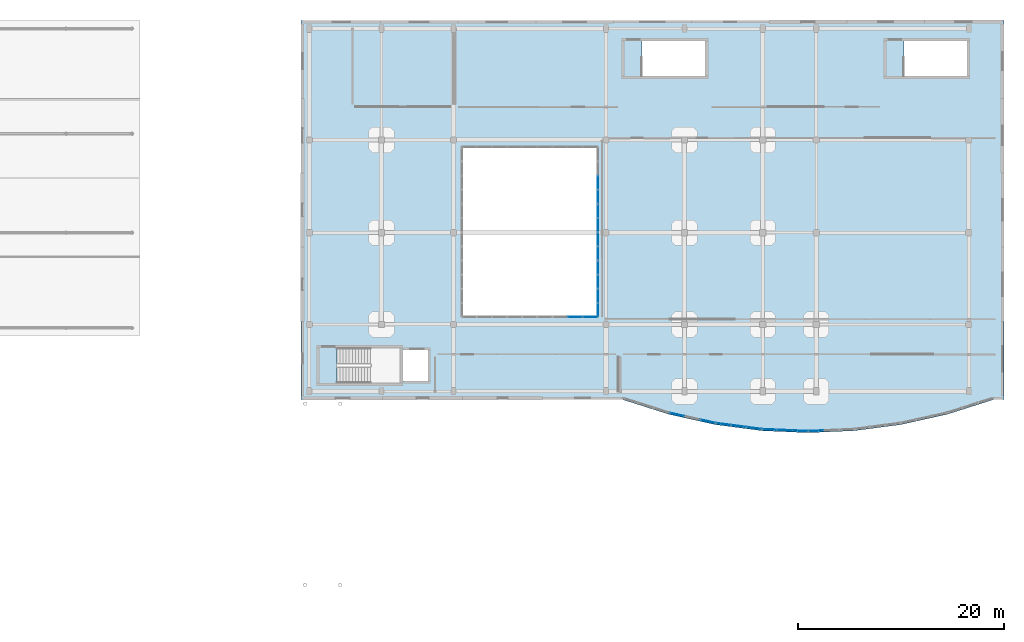
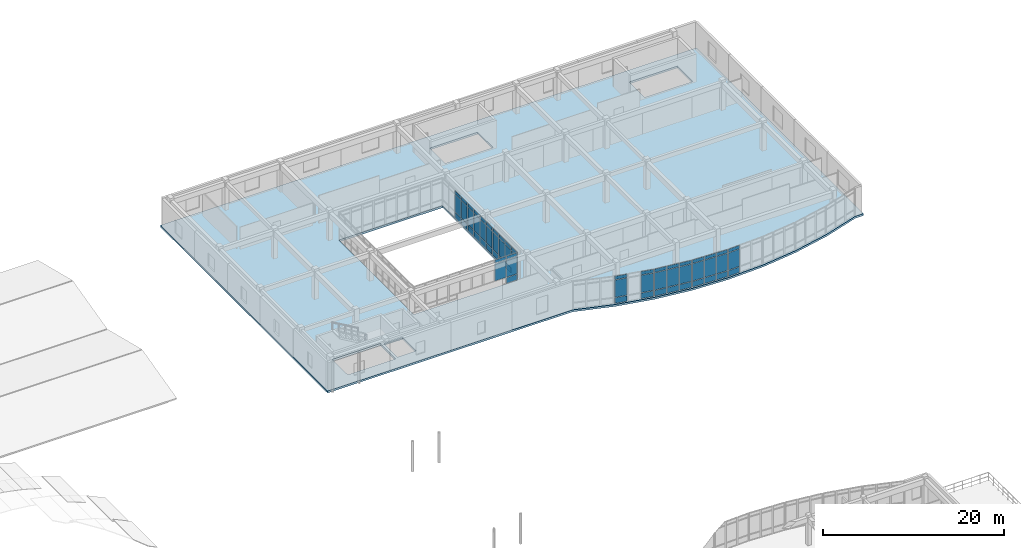
# One storey, part 67 of 91: 62 plates, 1 slab, 8 elements without a shape of their own.
"""IFC4 building model written with IfcOpenShell, lengths in metres."""

from ifc_helpers import new_model, si_unit, direction, frame, origin, origin_2d, place, context, subcontext, project, spatial, polyline, rectangle, outline, extrude, material, layer, layer_set, type_object, element, aggregate, save


model = new_model("IFC4")

# Units and contexts
model_context = context("Model", 3, precision=1e-05, world=origin(), true_north=direction((0.0, 1.0)))
body_context = subcontext(model_context, "Body", "Model", "MODEL_VIEW")
ifc_project = project(units=[si_unit("LENGTHUNIT", "METRE"), si_unit("AREAUNIT", "SQUARE_METRE"), si_unit("VOLUMEUNIT", "CUBIC_METRE"), si_unit("PLANEANGLEUNIT", "RADIAN"), si_unit("MASSUNIT", "GRAM", prefix="KILO")], contexts=[model_context])

# Site, building, storey
site_placement = place(None, origin())
site = spatial("IfcSite", under=ifc_project, at=site_placement, CompositionType="ELEMENT")
building_placement = place(site_placement, origin())
building = spatial("IfcBuilding", under=site, at=building_placement, Name="Valcora Specialist Clinic", CompositionType="ELEMENT")
storey_placement = place(building_placement, frame((0.0, 0.0, 13.60009765625)))
storey = spatial("IfcBuildingStorey", under=building, at=storey_placement, Name="L03", CompositionType="ELEMENT", Elevation=13.60009765625)

# Curtain wall, plates
ifc_material_1 = material(Name="Anodized Bronze Aluminium 6063-T6", Category="aluminium")
ifc_layer_1 = layer(ifc_material_1, 0.175048828125)
ifc_layer_set_1 = layer_set([ifc_layer_1], Name="Anodized Bronze Aluminium 6063-T6")
curtain_wall_type_1 = type_object("IfcCurtainWallType", Name="TY-CW-ARC40", PredefinedType="NOTDEFINED", material=ifc_layer_set_1)
curtain_wall_1_placement = place(storey_placement, origin())
curtain_wall_1 = element("IfcCurtainWall", 1, at=curtain_wall_1_placement, inside=storey, type_object=curtain_wall_type_1, Name="Curtain wall CW-L03-120", PredefinedType="NOTDEFINED")
ifc_material_2 = material(Name="Low-E Laminated Insulating Glass", Category="glass")
ifc_layer_2 = layer(ifc_material_2, 0.028076171875)
ifc_layer_set_2 = layer_set([ifc_layer_2], Name="Low-E Laminated Insulating Glass")
plate_type_1 = type_object("IfcPlateType", Name="TY-CWP-GLZ28", PredefinedType="CURTAIN_PANEL", material=ifc_layer_set_2)
plate_1_placement = place(storey_placement, frame((111.1640625, 70.96826171875, 0.88232421875), z_axis=(0.0, 0.0, 1.0), x_axis=(-0.999061821291, -0.043306780525, 0.0)))
plate_1 = element("IfcPlate", 2, at=plate_1_placement, type_object=plate_type_1, Name="CW-ARC-40 panel 3.2", PredefinedType="CURTAIN_PANEL", context=body_context, shape_type="SweptSolid", body=[
    extrude(rectangle(XDim=1.399658203125, YDim=0.028076171875, at=origin_2d()), origin(), (0.0, 0.0, 1.0), 2.31005859375),
])
plate_2_placement = place(storey_placement, frame((111.1640625, 70.96826171875, 3.25732421875), z_axis=(0.0, 0.0, 1.0), x_axis=(-0.999061821291, -0.043306780525, 0.0)))
plate_2 = element("IfcPlate", 3, at=plate_2_placement, type_object=plate_type_1, Name="CW-ARC-40 panel 3.3", PredefinedType="CURTAIN_PANEL", context=body_context, shape_type="SweptSolid", body=[
    extrude(rectangle(XDim=1.399658203125, YDim=0.028076171875, at=origin_2d()), origin(), (0.0, 0.0, 1.0), 0.452392578125),
])

curtain_wall_2_placement = place(storey_placement, origin())
curtain_wall_2 = element("IfcCurtainWall", 4, at=curtain_wall_2_placement, inside=storey, type_object=curtain_wall_type_1, Name="Curtain wall CW-L03-122", PredefinedType="NOTDEFINED")
plate_3_placement = place(storey_placement, frame((105.149169921875, 71.229736328125, 0.88232421875), z_axis=(0.0, 0.0, 1.0), x_axis=(-0.991514060421, 0.129999492259, 0.0)))
plate_3 = element("IfcPlate", 5, at=plate_3_placement, type_object=plate_type_1, Name="CW-ARC-40 panel 1.2", PredefinedType="CURTAIN_PANEL", context=body_context, shape_type="SweptSolid", body=[
    extrude(rectangle(XDim=1.410888671875, YDim=0.028076171875, at=origin_2d()), origin(), (0.0, 0.0, 1.0), 2.31005859375),
])
plate_4_placement = place(storey_placement, frame((105.149169921875, 71.229736328125, 3.25732421875), z_axis=(0.0, 0.0, 1.0), x_axis=(-0.991514060421, 0.129999492259, 0.0)))
plate_4 = element("IfcPlate", 6, at=plate_4_placement, type_object=plate_type_1, Name="CW-ARC-40 panel 1.3", PredefinedType="CURTAIN_PANEL", context=body_context, shape_type="SweptSolid", body=[
    extrude(rectangle(XDim=1.410888671875, YDim=0.028076171875, at=origin_2d()), origin(), (0.0, 0.0, 1.0), 0.452392578125),
])
plate_5_placement = place(storey_placement, frame((103.66943359375, 71.423828125, 0.88232421875), z_axis=(0.0, 0.0, 1.0), x_axis=(-0.991514060421, 0.129999492259, 0.0)))
plate_5 = element("IfcPlate", 7, at=plate_5_placement, type_object=plate_type_1, Name="CW-ARC-40 panel 2.2", PredefinedType="CURTAIN_PANEL", context=body_context, shape_type="SweptSolid", body=[
    extrude(rectangle(XDim=1.443359375, YDim=0.028076171875, at=origin_2d()), origin(), (0.0, 0.0, 1.0), 2.31005859375),
])
plate_6_placement = place(storey_placement, frame((103.66943359375, 71.423828125, 3.25732421875), z_axis=(0.0, 0.0, 1.0), x_axis=(-0.991514060421, 0.129999492259, 0.0)))
plate_6 = element("IfcPlate", 8, at=plate_6_placement, type_object=plate_type_1, Name="CW-ARC-40 panel 2.3", PredefinedType="CURTAIN_PANEL", context=body_context, shape_type="SweptSolid", body=[
    extrude(rectangle(XDim=1.443359375, YDim=0.028076171875, at=origin_2d()), origin(), (0.0, 0.0, 1.0), 0.452392578125),
])
plate_7_placement = place(storey_placement, frame((102.18994140625, 71.61767578125, 0.88232421875), z_axis=(0.0, 0.0, 1.0), x_axis=(-0.991514060421, 0.129999492259, 0.0)))
plate_7 = element("IfcPlate", 9, at=plate_7_placement, type_object=plate_type_1, Name="CW-ARC-40 panel 3.2", PredefinedType="CURTAIN_PANEL", context=body_context, shape_type="SweptSolid", body=[
    extrude(rectangle(XDim=1.410888671875, YDim=0.028076171875, at=origin_2d()), origin(), (0.0, 0.0, 1.0), 2.31005859375),
])
plate_8_placement = place(storey_placement, frame((102.18994140625, 71.61767578125, 3.25732421875), z_axis=(0.0, 0.0, 1.0), x_axis=(-0.991514060421, 0.129999492259, 0.0)))
plate_8 = element("IfcPlate", 10, at=plate_8_placement, type_object=plate_type_1, Name="CW-ARC-40 panel 3.3", PredefinedType="CURTAIN_PANEL", context=body_context, shape_type="SweptSolid", body=[
    extrude(rectangle(XDim=1.410888671875, YDim=0.028076171875, at=origin_2d()), origin(), (0.0, 0.0, 1.0), 0.452392578125),
])

ifc_layer_3 = layer(ifc_material_1, 0.175048828125)
ifc_layer_set_3 = layer_set([ifc_layer_3], Name="Anodized Bronze Aluminium 6063-T6")
curtain_wall_type_2 = type_object("IfcCurtainWallType", Name="TY-CW-CRT15", PredefinedType="NOTDEFINED", material=ifc_layer_set_3)
curtain_wall_3_placement = place(storey_placement, origin())
curtain_wall_3 = element("IfcCurtainWall", 11, at=curtain_wall_3_placement, inside=storey, type_object=curtain_wall_type_2, Name="Curtain wall CW-L03-128", PredefinedType="NOTDEFINED")
plate_9_placement = place(storey_placement, frame((90.0, 82.703857421875, 0.88232421875), z_axis=(0.0, 0.0, 1.0), x_axis=(0.0, 1.0, 0.0)))
plate_9 = element("IfcPlate", 12, at=plate_9_placement, type_object=plate_type_1, Name="CW-CRT-15 panel 1.2", PredefinedType="CURTAIN_PANEL", context=body_context, shape_type="SweptSolid", body=[
    extrude(rectangle(XDim=1.277587890625, YDim=0.028076171875, at=origin_2d()), origin(), (0.0, 0.0, 1.0), 2.31005859375),
])
plate_10_placement = place(storey_placement, frame((90.0, 82.703857421875, 3.25732421875), z_axis=(0.0, 0.0, 1.0), x_axis=(0.0, 1.0, 0.0)))
plate_10 = element("IfcPlate", 13, at=plate_10_placement, type_object=plate_type_1, Name="CW-CRT-15 panel 1.3", PredefinedType="CURTAIN_PANEL", context=body_context, shape_type="SweptSolid", body=[
    extrude(rectangle(XDim=1.277587890625, YDim=0.028076171875, at=origin_2d()), origin(), (0.0, 0.0, 1.0), 0.452392578125),
])
plate_11_placement = place(storey_placement, frame((90.0, 84.0625, 0.88232421875), z_axis=(0.0, 0.0, 1.0), x_axis=(0.0, 1.0, 0.0)))
plate_11 = element("IfcPlate", 14, at=plate_11_placement, type_object=plate_type_1, Name="CW-CRT-15 panel 2.2", PredefinedType="CURTAIN_PANEL", context=body_context, shape_type="SweptSolid", body=[
    extrude(rectangle(XDim=1.31005859375, YDim=0.028076171875, at=origin_2d()), origin(), (0.0, 0.0, 1.0), 2.31005859375),
])
plate_12_placement = place(storey_placement, frame((90.0, 84.0625, 3.25732421875), z_axis=(0.0, 0.0, 1.0), x_axis=(0.0, 1.0, 0.0)))
plate_12 = element("IfcPlate", 15, at=plate_12_placement, type_object=plate_type_1, Name="CW-CRT-15 panel 2.3", PredefinedType="CURTAIN_PANEL", context=body_context, shape_type="SweptSolid", body=[
    extrude(rectangle(XDim=1.31005859375, YDim=0.028076171875, at=origin_2d()), origin(), (0.0, 0.0, 1.0), 0.452392578125),
])
plate_13_placement = place(storey_placement, frame((90.0, 85.4375, 0.88232421875), z_axis=(0.0, 0.0, 1.0), x_axis=(0.0, 1.0, 0.0)))
plate_13 = element("IfcPlate", 16, at=plate_13_placement, type_object=plate_type_1, Name="CW-CRT-15 panel 3.2", PredefinedType="CURTAIN_PANEL", context=body_context, shape_type="SweptSolid", body=[
    extrude(rectangle(XDim=1.31005859375, YDim=0.028076171875, at=origin_2d()), origin(), (0.0, 0.0, 1.0), 2.31005859375),
])
plate_14_placement = place(storey_placement, frame((90.0, 85.4375, 3.25732421875), z_axis=(0.0, 0.0, 1.0), x_axis=(0.0, 1.0, 0.0)))
plate_14 = element("IfcPlate", 17, at=plate_14_placement, type_object=plate_type_1, Name="CW-CRT-15 panel 3.3", PredefinedType="CURTAIN_PANEL", context=body_context, shape_type="SweptSolid", body=[
    extrude(rectangle(XDim=1.31005859375, YDim=0.028076171875, at=origin_2d()), origin(), (0.0, 0.0, 1.0), 0.452392578125),
])
plate_15_placement = place(storey_placement, frame((90.0, 86.796142578125, 0.88232421875), z_axis=(0.0, 0.0, 1.0), x_axis=(0.0, 1.0, 0.0)))
plate_15 = element("IfcPlate", 18, at=plate_15_placement, type_object=plate_type_1, Name="CW-CRT-15 panel 4.2", PredefinedType="CURTAIN_PANEL", context=body_context, shape_type="SweptSolid", body=[
    extrude(rectangle(XDim=1.277587890625, YDim=0.028076171875, at=origin_2d()), origin(), (0.0, 0.0, 1.0), 2.31005859375),
])
plate_16_placement = place(storey_placement, frame((90.0, 86.796142578125, 3.25732421875), z_axis=(0.0, 0.0, 1.0), x_axis=(0.0, 1.0, 0.0)))
plate_16 = element("IfcPlate", 19, at=plate_16_placement, type_object=plate_type_1, Name="CW-CRT-15 panel 4.3", PredefinedType="CURTAIN_PANEL", context=body_context, shape_type="SweptSolid", body=[
    extrude(rectangle(XDim=1.277587890625, YDim=0.028076171875, at=origin_2d()), origin(), (0.0, 0.0, 1.0), 0.452392578125),
])

curtain_wall_4_placement = place(storey_placement, origin())
curtain_wall_4 = element("IfcCurtainWall", 20, at=curtain_wall_4_placement, inside=storey, type_object=curtain_wall_type_2, Name="Curtain wall CW-L03-130", PredefinedType="NOTDEFINED")
plate_17_placement = place(storey_placement, frame((90.0, 93.703857421875, 0.88232421875), z_axis=(0.0, 0.0, 1.0), x_axis=(0.0, 1.0, 0.0)))
plate_17 = element("IfcPlate", 21, at=plate_17_placement, type_object=plate_type_1, Name="CW-CRT-15 panel 1.2", PredefinedType="CURTAIN_PANEL", context=body_context, shape_type="SweptSolid", body=[
    extrude(rectangle(XDim=1.277587890625, YDim=0.028076171875, at=origin_2d()), origin(), (0.0, 0.0, 1.0), 2.31005859375),
])
plate_18_placement = place(storey_placement, frame((90.0, 93.703857421875, 3.25732421875), z_axis=(0.0, 0.0, 1.0), x_axis=(0.0, 1.0, 0.0)))
plate_18 = element("IfcPlate", 22, at=plate_18_placement, type_object=plate_type_1, Name="CW-CRT-15 panel 1.3", PredefinedType="CURTAIN_PANEL", context=body_context, shape_type="SweptSolid", body=[
    extrude(rectangle(XDim=1.277587890625, YDim=0.028076171875, at=origin_2d()), origin(), (0.0, 0.0, 1.0), 0.452392578125),
])
plate_19_placement = place(storey_placement, frame((90.0, 95.0625, 0.88232421875), z_axis=(0.0, 0.0, 1.0), x_axis=(0.0, 1.0, 0.0)))
plate_19 = element("IfcPlate", 23, at=plate_19_placement, type_object=plate_type_1, Name="CW-CRT-15 panel 2.2", PredefinedType="CURTAIN_PANEL", context=body_context, shape_type="SweptSolid", body=[
    extrude(rectangle(XDim=1.31005859375, YDim=0.028076171875, at=origin_2d()), origin(), (0.0, 0.0, 1.0), 2.31005859375),
])
plate_20_placement = place(storey_placement, frame((90.0, 95.0625, 3.25732421875), z_axis=(0.0, 0.0, 1.0), x_axis=(0.0, 1.0, 0.0)))
plate_20 = element("IfcPlate", 24, at=plate_20_placement, type_object=plate_type_1, Name="CW-CRT-15 panel 2.3", PredefinedType="CURTAIN_PANEL", context=body_context, shape_type="SweptSolid", body=[
    extrude(rectangle(XDim=1.31005859375, YDim=0.028076171875, at=origin_2d()), origin(), (0.0, 0.0, 1.0), 0.452392578125),
])

curtain_wall_5_placement = place(storey_placement, origin())
curtain_wall_5 = element("IfcCurtainWall", 25, at=curtain_wall_5_placement, inside=storey, type_object=curtain_wall_type_1, Name="Curtain wall CW-L03-121", PredefinedType="NOTDEFINED")
ifc_layer_4 = layer(ifc_material_2, 0.033935546875)
ifc_layer_set_4 = layer_set([ifc_layer_4], Name="Low-E Laminated Insulating Glass")
plate_type_2 = type_object("IfcPlateType", Name="TY-CWP-GLZ34", PredefinedType="CURTAIN_PANEL", material=ifc_layer_set_4)
plate_21_placement = place(storey_placement, frame((109.635986328125, 70.96826171875, 0.88232421875), z_axis=(0.0, 0.0, 1.0), x_axis=(-0.999061821291, 0.043306780525, 0.0)))
plate_21 = element("IfcPlate", 26, at=plate_21_placement, type_object=plate_type_2, Name="CW-ARC-40 panel 1.2", PredefinedType="CURTAIN_PANEL", context=body_context, shape_type="SweptSolid", body=[
    extrude(rectangle(XDim=1.399658203125, YDim=0.033935546875, at=origin_2d()), origin(), (0.0, 0.0, 1.0), 2.31005859375),
])
plate_22_placement = place(storey_placement, frame((109.635986328125, 70.96826171875, 3.25732421875), z_axis=(0.0, 0.0, 1.0), x_axis=(-0.999061821291, 0.043306780525, 0.0)))
plate_22 = element("IfcPlate", 27, at=plate_22_placement, type_object=plate_type_2, Name="CW-ARC-40 panel 1.3", PredefinedType="CURTAIN_PANEL", context=body_context, shape_type="SweptSolid", body=[
    extrude(rectangle(XDim=1.399658203125, YDim=0.033935546875, at=origin_2d()), origin(), (0.0, 0.0, 1.0), 0.452392578125),
])
plate_23_placement = place(storey_placement, frame((108.156494140625, 71.032470703125, 0.88232421875), z_axis=(0.0, 0.0, 1.0), x_axis=(-0.999061821291, 0.043306780525, 0.0)))
plate_23 = element("IfcPlate", 28, at=plate_23_placement, type_object=plate_type_2, Name="CW-ARC-40 panel 2.2", PredefinedType="CURTAIN_PANEL", context=body_context, shape_type="SweptSolid", body=[
    extrude(rectangle(XDim=1.43212890625, YDim=0.033935546875, at=origin_2d()), origin(), (0.0, 0.0, 1.0), 2.31005859375),
])
plate_24_placement = place(storey_placement, frame((108.156494140625, 71.032470703125, 3.25732421875), z_axis=(0.0, 0.0, 1.0), x_axis=(-0.999061821291, 0.043306780525, 0.0)))
plate_24 = element("IfcPlate", 29, at=plate_24_placement, type_object=plate_type_2, Name="CW-ARC-40 panel 2.3", PredefinedType="CURTAIN_PANEL", context=body_context, shape_type="SweptSolid", body=[
    extrude(rectangle(XDim=1.43212890625, YDim=0.033935546875, at=origin_2d()), origin(), (0.0, 0.0, 1.0), 0.452392578125),
])
plate_25_placement = place(storey_placement, frame((106.677001953125, 71.096435546875, 0.88232421875), z_axis=(0.0, 0.0, 1.0), x_axis=(-0.999061821291, 0.043306780525, 0.0)))
plate_25 = element("IfcPlate", 30, at=plate_25_placement, type_object=plate_type_2, Name="CW-ARC-40 panel 3.2", PredefinedType="CURTAIN_PANEL", context=body_context, shape_type="SweptSolid", body=[
    extrude(rectangle(XDim=1.399658203125, YDim=0.033935546875, at=origin_2d()), origin(), (0.0, 0.0, 1.0), 2.31005859375),
])
plate_26_placement = place(storey_placement, frame((106.677001953125, 71.096435546875, 3.25732421875), z_axis=(0.0, 0.0, 1.0), x_axis=(-0.999061821291, 0.043306780525, 0.0)))
plate_26 = element("IfcPlate", 31, at=plate_26_placement, type_object=plate_type_2, Name="CW-ARC-40 panel 3.3", PredefinedType="CURTAIN_PANEL", context=body_context, shape_type="SweptSolid", body=[
    extrude(rectangle(XDim=1.399658203125, YDim=0.033935546875, at=origin_2d()), origin(), (0.0, 0.0, 1.0), 0.452392578125),
])

curtain_wall_6_placement = place(storey_placement, origin())
curtain_wall_6 = element("IfcCurtainWall", 32, at=curtain_wall_6_placement, inside=storey, type_object=curtain_wall_type_1, Name="Curtain wall CW-L03-123", PredefinedType="NOTDEFINED")
plate_27_placement = place(storey_placement, frame((100.662353515625, 71.88720703125, 0.88232421875), z_axis=(0.0, 0.0, 1.0), x_axis=(-0.976278614432, 0.216518052372, 0.0)))
plate_27 = element("IfcPlate", 33, at=plate_27_placement, type_object=plate_type_2, Name="CW-ARC-40 panel 1.2", PredefinedType="CURTAIN_PANEL", context=body_context, shape_type="SweptSolid", body=[
    extrude(rectangle(XDim=1.4345703125, YDim=0.033935546875, at=origin_2d()), origin(), (0.0, 0.0, 1.0), 2.31005859375),
])
plate_28_placement = place(storey_placement, frame((100.662353515625, 71.88720703125, 3.25732421875), z_axis=(0.0, 0.0, 1.0), x_axis=(-0.976278614432, 0.216518052372, 0.0)))
plate_28 = element("IfcPlate", 34, at=plate_28_placement, type_object=plate_type_2, Name="CW-ARC-40 panel 1.3", PredefinedType="CURTAIN_PANEL", context=body_context, shape_type="SweptSolid", body=[
    extrude(rectangle(XDim=1.4345703125, YDim=0.033935546875, at=origin_2d()), origin(), (0.0, 0.0, 1.0), 0.452392578125),
])
plate_29_placement = place(storey_placement, frame((97.702880859375, 72.543701171875, 0.88232421875), z_axis=(0.0, 0.0, 1.0), x_axis=(-0.976278614432, 0.216518052372, 0.0)))
plate_29 = element("IfcPlate", 35, at=plate_29_placement, type_object=plate_type_2, Name="CW-ARC-40 panel 3.2", PredefinedType="CURTAIN_PANEL", context=body_context, shape_type="SweptSolid", body=[
    extrude(rectangle(XDim=1.4345703125, YDim=0.033935546875, at=origin_2d()), origin(), (0.0, 0.0, 1.0), 2.31005859375),
])
plate_30_placement = place(storey_placement, frame((97.702880859375, 72.543701171875, 3.25732421875), z_axis=(0.0, 0.0, 1.0), x_axis=(-0.976278614432, 0.216518052372, 0.0)))
plate_30 = element("IfcPlate", 36, at=plate_30_placement, type_object=plate_type_2, Name="CW-ARC-40 panel 3.3", PredefinedType="CURTAIN_PANEL", context=body_context, shape_type="SweptSolid", body=[
    extrude(rectangle(XDim=1.4345703125, YDim=0.033935546875, at=origin_2d()), origin(), (0.0, 0.0, 1.0), 0.452392578125),
])

curtain_wall_7_placement = place(storey_placement, origin())
curtain_wall_7 = element("IfcCurtainWall", 37, at=curtain_wall_7_placement, inside=storey, type_object=curtain_wall_type_2, Name="Curtain wall CW-L03-127", PredefinedType="NOTDEFINED")
plate_31_placement = place(storey_placement, frame((87.800048828125, 82.0, 0.88232421875), z_axis=(0.0, 0.0, 1.0), x_axis=(1.0, 0.0, 0.0)))
plate_31 = element("IfcPlate", 38, at=plate_31_placement, type_object=plate_type_2, Name="CW-CRT-15 panel 2.2", PredefinedType="CURTAIN_PANEL", context=body_context, shape_type="SweptSolid", body=[
    extrude(rectangle(XDim=1.401611328125, YDim=0.033935546875, at=origin_2d()), origin(), (0.0, 0.0, 1.0), 2.31005859375),
])
plate_32_placement = place(storey_placement, frame((87.800048828125, 82.0, 3.25732421875), z_axis=(0.0, 0.0, 1.0), x_axis=(1.0, 0.0, 0.0)))
plate_32 = element("IfcPlate", 39, at=plate_32_placement, type_object=plate_type_2, Name="CW-CRT-15 panel 2.3", PredefinedType="CURTAIN_PANEL", context=body_context, shape_type="SweptSolid", body=[
    extrude(rectangle(XDim=1.401611328125, YDim=0.033935546875, at=origin_2d()), origin(), (0.0, 0.0, 1.0), 0.452392578125),
])
plate_33_placement = place(storey_placement, frame((89.25048828125, 82.0, 0.88232421875), z_axis=(0.0, 0.0, 1.0), x_axis=(1.0, 0.0, 0.0)))
plate_33 = element("IfcPlate", 40, at=plate_33_placement, type_object=plate_type_2, Name="CW-CRT-15 panel 3.2", PredefinedType="CURTAIN_PANEL", context=body_context, shape_type="SweptSolid", body=[
    extrude(rectangle(XDim=1.369140625, YDim=0.033935546875, at=origin_2d()), origin(), (0.0, 0.0, 1.0), 2.31005859375),
])
plate_34_placement = place(storey_placement, frame((89.25048828125, 82.0, 3.25732421875), z_axis=(0.0, 0.0, 1.0), x_axis=(1.0, 0.0, 0.0)))
plate_34 = element("IfcPlate", 41, at=plate_34_placement, type_object=plate_type_2, Name="CW-CRT-15 panel 3.3", PredefinedType="CURTAIN_PANEL", context=body_context, shape_type="SweptSolid", body=[
    extrude(rectangle(XDim=1.369140625, YDim=0.033935546875, at=origin_2d()), origin(), (0.0, 0.0, 1.0), 0.452392578125),
])

curtain_wall_8_placement = place(storey_placement, origin())
curtain_wall_8 = element("IfcCurtainWall", 42, at=curtain_wall_8_placement, inside=storey, type_object=curtain_wall_type_2, Name="Curtain wall CW-L03-129", PredefinedType="NOTDEFINED")
plate_35_placement = place(storey_placement, frame((90.0, 88.203857421875, 0.88232421875), z_axis=(0.0, 0.0, 1.0), x_axis=(0.0, 1.0, 0.0)))
plate_35 = element("IfcPlate", 43, at=plate_35_placement, type_object=plate_type_2, Name="CW-CRT-15 panel 1.2", PredefinedType="CURTAIN_PANEL", context=body_context, shape_type="SweptSolid", body=[
    extrude(rectangle(XDim=1.277587890625, YDim=0.033935546875, at=origin_2d()), origin(), (0.0, 0.0, 1.0), 2.31005859375),
])
plate_36_placement = place(storey_placement, frame((90.0, 88.203857421875, 3.25732421875), z_axis=(0.0, 0.0, 1.0), x_axis=(0.0, 1.0, 0.0)))
plate_36 = element("IfcPlate", 44, at=plate_36_placement, type_object=plate_type_2, Name="CW-CRT-15 panel 1.3", PredefinedType="CURTAIN_PANEL", context=body_context, shape_type="SweptSolid", body=[
    extrude(rectangle(XDim=1.277587890625, YDim=0.033935546875, at=origin_2d()), origin(), (0.0, 0.0, 1.0), 0.452392578125),
])
plate_37_placement = place(storey_placement, frame((90.0, 89.5625, 0.88232421875), z_axis=(0.0, 0.0, 1.0), x_axis=(0.0, 1.0, 0.0)))
plate_37 = element("IfcPlate", 45, at=plate_37_placement, type_object=plate_type_2, Name="CW-CRT-15 panel 2.2", PredefinedType="CURTAIN_PANEL", context=body_context, shape_type="SweptSolid", body=[
    extrude(rectangle(XDim=1.31005859375, YDim=0.033935546875, at=origin_2d()), origin(), (0.0, 0.0, 1.0), 2.31005859375),
])
plate_38_placement = place(storey_placement, frame((90.0, 89.5625, 3.25732421875), z_axis=(0.0, 0.0, 1.0), x_axis=(0.0, 1.0, 0.0)))
plate_38 = element("IfcPlate", 46, at=plate_38_placement, type_object=plate_type_2, Name="CW-CRT-15 panel 2.3", PredefinedType="CURTAIN_PANEL", context=body_context, shape_type="SweptSolid", body=[
    extrude(rectangle(XDim=1.31005859375, YDim=0.033935546875, at=origin_2d()), origin(), (0.0, 0.0, 1.0), 0.452392578125),
])
plate_39_placement = place(storey_placement, frame((90.0, 90.9375, 0.88232421875), z_axis=(0.0, 0.0, 1.0), x_axis=(0.0, 1.0, 0.0)))
plate_39 = element("IfcPlate", 47, at=plate_39_placement, type_object=plate_type_2, Name="CW-CRT-15 panel 3.2", PredefinedType="CURTAIN_PANEL", context=body_context, shape_type="SweptSolid", body=[
    extrude(rectangle(XDim=1.31005859375, YDim=0.033935546875, at=origin_2d()), origin(), (0.0, 0.0, 1.0), 2.31005859375),
])
plate_40_placement = place(storey_placement, frame((90.0, 90.9375, 3.25732421875), z_axis=(0.0, 0.0, 1.0), x_axis=(0.0, 1.0, 0.0)))
plate_40 = element("IfcPlate", 48, at=plate_40_placement, type_object=plate_type_2, Name="CW-CRT-15 panel 3.3", PredefinedType="CURTAIN_PANEL", context=body_context, shape_type="SweptSolid", body=[
    extrude(rectangle(XDim=1.31005859375, YDim=0.033935546875, at=origin_2d()), origin(), (0.0, 0.0, 1.0), 0.452392578125),
])
plate_41_placement = place(storey_placement, frame((90.0, 92.296142578125, 0.88232421875), z_axis=(0.0, 0.0, 1.0), x_axis=(0.0, 1.0, 0.0)))
plate_41 = element("IfcPlate", 49, at=plate_41_placement, type_object=plate_type_2, Name="CW-CRT-15 panel 4.2", PredefinedType="CURTAIN_PANEL", context=body_context, shape_type="SweptSolid", body=[
    extrude(rectangle(XDim=1.277587890625, YDim=0.033935546875, at=origin_2d()), origin(), (0.0, 0.0, 1.0), 2.31005859375),
])
plate_42_placement = place(storey_placement, frame((90.0, 92.296142578125, 3.25732421875), z_axis=(0.0, 0.0, 1.0), x_axis=(0.0, 1.0, 0.0)))
plate_42 = element("IfcPlate", 50, at=plate_42_placement, type_object=plate_type_2, Name="CW-CRT-15 panel 4.3", PredefinedType="CURTAIN_PANEL", context=body_context, shape_type="SweptSolid", body=[
    extrude(rectangle(XDim=1.277587890625, YDim=0.033935546875, at=origin_2d()), origin(), (0.0, 0.0, 1.0), 0.452392578125),
])

# Plate
ifc_material_3 = material(Name="Insulated Spandrel Panel")
ifc_layer_5 = layer(ifc_material_3, 0.044921875)
ifc_layer_set_5 = layer_set([ifc_layer_5], Name="Insulated Spandrel Panel")
plate_type_3 = type_object("IfcPlateType", Name="TY-CWP-SPN45", PredefinedType="SHEET", material=ifc_layer_set_5)
plate_43_placement = place(storey_placement, frame((111.1640625, 70.96826171875, 0.06494140625), z_axis=(0.0, 0.0, 1.0), x_axis=(-0.999061821291, -0.043306780525, 0.0)))
plate_43 = element("IfcPlate", 51, at=plate_43_placement, type_object=plate_type_3, Name="CW-ARC-40 panel 3.1", PredefinedType="SHEET", context=body_context, shape_type="SweptSolid", body=[
    extrude(rectangle(XDim=1.399658203125, YDim=0.044921875, at=origin_2d()), origin(), (0.0, 0.0, 1.0), 0.75244140625),
])

aggregate(curtain_wall_1, [plate_43, plate_1, plate_2])

plate_44_placement = place(storey_placement, frame((109.635986328125, 70.96826171875, 0.06494140625), z_axis=(0.0, 0.0, 1.0), x_axis=(-0.999061821291, 0.043306780525, 0.0)))
plate_44 = element("IfcPlate", 52, at=plate_44_placement, type_object=plate_type_3, Name="CW-ARC-40 panel 1.1", PredefinedType="SHEET", context=body_context, shape_type="SweptSolid", body=[
    extrude(rectangle(XDim=1.399658203125, YDim=0.044921875, at=origin_2d()), origin(), (0.0, 0.0, 1.0), 0.75244140625),
])

plate_45_placement = place(storey_placement, frame((108.156494140625, 71.032470703125, 0.06494140625), z_axis=(0.0, 0.0, 1.0), x_axis=(-0.999061821291, 0.043306780525, 0.0)))
plate_45 = element("IfcPlate", 53, at=plate_45_placement, type_object=plate_type_3, Name="CW-ARC-40 panel 2.1", PredefinedType="SHEET", context=body_context, shape_type="SweptSolid", body=[
    extrude(rectangle(XDim=1.43212890625, YDim=0.044921875, at=origin_2d()), origin(), (0.0, 0.0, 1.0), 0.75244140625),
])

plate_46_placement = place(storey_placement, frame((106.677001953125, 71.096435546875, 0.06494140625), z_axis=(0.0, 0.0, 1.0), x_axis=(-0.999061821291, 0.043306780525, 0.0)))
plate_46 = element("IfcPlate", 54, at=plate_46_placement, type_object=plate_type_3, Name="CW-ARC-40 panel 3.1", PredefinedType="SHEET", context=body_context, shape_type="SweptSolid", body=[
    extrude(rectangle(XDim=1.399658203125, YDim=0.044921875, at=origin_2d()), origin(), (0.0, 0.0, 1.0), 0.75244140625),
])

aggregate(curtain_wall_5, [plate_44, plate_21, plate_22, plate_45, plate_23, plate_24, plate_46, plate_25, plate_26])

plate_47_placement = place(storey_placement, frame((105.149169921875, 71.229736328125, 0.06494140625), z_axis=(0.0, 0.0, 1.0), x_axis=(-0.991514060421, 0.129999492259, 0.0)))
plate_47 = element("IfcPlate", 55, at=plate_47_placement, type_object=plate_type_3, Name="CW-ARC-40 panel 1.1", PredefinedType="SHEET", context=body_context, shape_type="SweptSolid", body=[
    extrude(rectangle(XDim=1.410888671875, YDim=0.044921875, at=origin_2d()), origin(), (0.0, 0.0, 1.0), 0.75244140625),
])

plate_48_placement = place(storey_placement, frame((103.66943359375, 71.423828125, 0.06494140625), z_axis=(0.0, 0.0, 1.0), x_axis=(-0.991514060421, 0.129999492259, 0.0)))
plate_48 = element("IfcPlate", 56, at=plate_48_placement, type_object=plate_type_3, Name="CW-ARC-40 panel 2.1", PredefinedType="SHEET", context=body_context, shape_type="SweptSolid", body=[
    extrude(rectangle(XDim=1.443359375, YDim=0.044921875, at=origin_2d()), origin(), (0.0, 0.0, 1.0), 0.75244140625),
])

plate_49_placement = place(storey_placement, frame((102.18994140625, 71.61767578125, 0.06494140625), z_axis=(0.0, 0.0, 1.0), x_axis=(-0.991514060421, 0.129999492259, 0.0)))
plate_49 = element("IfcPlate", 57, at=plate_49_placement, type_object=plate_type_3, Name="CW-ARC-40 panel 3.1", PredefinedType="SHEET", context=body_context, shape_type="SweptSolid", body=[
    extrude(rectangle(XDim=1.410888671875, YDim=0.044921875, at=origin_2d()), origin(), (0.0, 0.0, 1.0), 0.75244140625),
])

aggregate(curtain_wall_2, [plate_47, plate_3, plate_4, plate_48, plate_5, plate_6, plate_49, plate_7, plate_8])

plate_50_placement = place(storey_placement, frame((100.662353515625, 71.88720703125, 0.06494140625), z_axis=(0.0, 0.0, 1.0), x_axis=(-0.976278614432, 0.216518052372, 0.0)))
plate_50 = element("IfcPlate", 58, at=plate_50_placement, type_object=plate_type_3, Name="CW-ARC-40 panel 1.1", PredefinedType="SHEET", context=body_context, shape_type="SweptSolid", body=[
    extrude(rectangle(XDim=1.4345703125, YDim=0.044921875, at=origin_2d()), origin(), (0.0, 0.0, 1.0), 0.75244140625),
])

plate_51_placement = place(storey_placement, frame((97.702880859375, 72.543701171875, 0.06494140625), z_axis=(0.0, 0.0, 1.0), x_axis=(-0.976278614432, 0.216518052372, 0.0)))
plate_51 = element("IfcPlate", 59, at=plate_51_placement, type_object=plate_type_3, Name="CW-ARC-40 panel 3.1", PredefinedType="SHEET", context=body_context, shape_type="SweptSolid", body=[
    extrude(rectangle(XDim=1.4345703125, YDim=0.044921875, at=origin_2d()), origin(), (0.0, 0.0, 1.0), 0.75244140625),
])

aggregate(curtain_wall_6, [plate_50, plate_27, plate_28, plate_51, plate_29, plate_30])

plate_52_placement = place(storey_placement, frame((89.25048828125, 82.0, 0.06494140625), z_axis=(0.0, 0.0, 1.0), x_axis=(1.0, 0.0, 0.0)))
plate_52 = element("IfcPlate", 60, at=plate_52_placement, type_object=plate_type_3, Name="CW-CRT-15 panel 3.1", PredefinedType="SHEET", context=body_context, shape_type="SweptSolid", body=[
    extrude(rectangle(XDim=1.369140625, YDim=0.044921875, at=origin_2d()), origin(), (0.0, 0.0, 1.0), 0.75244140625),
])

aggregate(curtain_wall_7, [plate_31, plate_32, plate_52, plate_33, plate_34])

plate_53_placement = place(storey_placement, frame((90.0, 82.703857421875, 0.06494140625), z_axis=(0.0, 0.0, 1.0), x_axis=(0.0, 1.0, 0.0)))
plate_53 = element("IfcPlate", 61, at=plate_53_placement, type_object=plate_type_3, Name="CW-CRT-15 panel 1.1", PredefinedType="SHEET", context=body_context, shape_type="SweptSolid", body=[
    extrude(rectangle(XDim=1.277587890625, YDim=0.044921875, at=origin_2d()), origin(), (0.0, 0.0, 1.0), 0.75244140625),
])

plate_54_placement = place(storey_placement, frame((90.0, 84.0625, 0.06494140625), z_axis=(0.0, 0.0, 1.0), x_axis=(0.0, 1.0, 0.0)))
plate_54 = element("IfcPlate", 62, at=plate_54_placement, type_object=plate_type_3, Name="CW-CRT-15 panel 2.1", PredefinedType="SHEET", context=body_context, shape_type="SweptSolid", body=[
    extrude(rectangle(XDim=1.31005859375, YDim=0.044921875, at=origin_2d()), origin(), (0.0, 0.0, 1.0), 0.75244140625),
])

plate_55_placement = place(storey_placement, frame((90.0, 85.4375, 0.06494140625), z_axis=(0.0, 0.0, 1.0), x_axis=(0.0, 1.0, 0.0)))
plate_55 = element("IfcPlate", 63, at=plate_55_placement, type_object=plate_type_3, Name="CW-CRT-15 panel 3.1", PredefinedType="SHEET", context=body_context, shape_type="SweptSolid", body=[
    extrude(rectangle(XDim=1.31005859375, YDim=0.044921875, at=origin_2d()), origin(), (0.0, 0.0, 1.0), 0.75244140625),
])

plate_56_placement = place(storey_placement, frame((90.0, 86.796142578125, 0.06494140625), z_axis=(0.0, 0.0, 1.0), x_axis=(0.0, 1.0, 0.0)))
plate_56 = element("IfcPlate", 64, at=plate_56_placement, type_object=plate_type_3, Name="CW-CRT-15 panel 4.1", PredefinedType="SHEET", context=body_context, shape_type="SweptSolid", body=[
    extrude(rectangle(XDim=1.277587890625, YDim=0.044921875, at=origin_2d()), origin(), (0.0, 0.0, 1.0), 0.75244140625),
])

aggregate(curtain_wall_3, [plate_53, plate_9, plate_10, plate_54, plate_11, plate_12, plate_55, plate_13, plate_14, plate_56, plate_15, plate_16])

plate_57_placement = place(storey_placement, frame((90.0, 88.203857421875, 0.06494140625), z_axis=(0.0, 0.0, 1.0), x_axis=(0.0, 1.0, 0.0)))
plate_57 = element("IfcPlate", 65, at=plate_57_placement, type_object=plate_type_3, Name="CW-CRT-15 panel 1.1", PredefinedType="SHEET", context=body_context, shape_type="SweptSolid", body=[
    extrude(rectangle(XDim=1.277587890625, YDim=0.044921875, at=origin_2d()), origin(), (0.0, 0.0, 1.0), 0.75244140625),
])

plate_58_placement = place(storey_placement, frame((90.0, 89.5625, 0.06494140625), z_axis=(0.0, 0.0, 1.0), x_axis=(0.0, 1.0, 0.0)))
plate_58 = element("IfcPlate", 66, at=plate_58_placement, type_object=plate_type_3, Name="CW-CRT-15 panel 2.1", PredefinedType="SHEET", context=body_context, shape_type="SweptSolid", body=[
    extrude(rectangle(XDim=1.31005859375, YDim=0.044921875, at=origin_2d()), origin(), (0.0, 0.0, 1.0), 0.75244140625),
])

plate_59_placement = place(storey_placement, frame((90.0, 90.9375, 0.06494140625), z_axis=(0.0, 0.0, 1.0), x_axis=(0.0, 1.0, 0.0)))
plate_59 = element("IfcPlate", 67, at=plate_59_placement, type_object=plate_type_3, Name="CW-CRT-15 panel 3.1", PredefinedType="SHEET", context=body_context, shape_type="SweptSolid", body=[
    extrude(rectangle(XDim=1.31005859375, YDim=0.044921875, at=origin_2d()), origin(), (0.0, 0.0, 1.0), 0.75244140625),
])

plate_60_placement = place(storey_placement, frame((90.0, 92.296142578125, 0.06494140625), z_axis=(0.0, 0.0, 1.0), x_axis=(0.0, 1.0, 0.0)))
plate_60 = element("IfcPlate", 68, at=plate_60_placement, type_object=plate_type_3, Name="CW-CRT-15 panel 4.1", PredefinedType="SHEET", context=body_context, shape_type="SweptSolid", body=[
    extrude(rectangle(XDim=1.277587890625, YDim=0.044921875, at=origin_2d()), origin(), (0.0, 0.0, 1.0), 0.75244140625),
])

aggregate(curtain_wall_8, [plate_57, plate_35, plate_36, plate_58, plate_37, plate_38, plate_59, plate_39, plate_40, plate_60, plate_41, plate_42])

plate_61_placement = place(storey_placement, frame((90.0, 93.703857421875, 0.06494140625), z_axis=(0.0, 0.0, 1.0), x_axis=(0.0, 1.0, 0.0)))
plate_61 = element("IfcPlate", 69, at=plate_61_placement, type_object=plate_type_3, Name="CW-CRT-15 panel 1.1", PredefinedType="SHEET", context=body_context, shape_type="SweptSolid", body=[
    extrude(rectangle(XDim=1.277587890625, YDim=0.044921875, at=origin_2d()), origin(), (0.0, 0.0, 1.0), 0.75244140625),
])

plate_62_placement = place(storey_placement, frame((90.0, 95.0625, 0.06494140625), z_axis=(0.0, 0.0, 1.0), x_axis=(0.0, 1.0, 0.0)))
plate_62 = element("IfcPlate", 70, at=plate_62_placement, type_object=plate_type_3, Name="CW-CRT-15 panel 2.1", PredefinedType="SHEET", context=body_context, shape_type="SweptSolid", body=[
    extrude(rectangle(XDim=1.31005859375, YDim=0.044921875, at=origin_2d()), origin(), (0.0, 0.0, 1.0), 0.75244140625),
])

aggregate(curtain_wall_4, [plate_61, plate_17, plate_18, plate_62, plate_19, plate_20])

# Slab
ifc_material_4 = material(Name="Concrete C40/50", Category="concrete")
ifc_layer_6 = layer(ifc_material_4, 0.260009765625)
ifc_layer_set_6 = layer_set([ifc_layer_6], Name="Concrete C40/50")
slab_type = type_object("IfcSlabType", Name="TY-SL-FLR260", PredefinedType="FLOOR", material=ifc_layer_set_6)
slab_placement = place(storey_placement, frame((0.0, 0.0, -0.260009765625)))
element("IfcSlab", 71, at=slab_placement, inside=storey, type_object=slab_type, Name="V4 L03 structural slab SL-L03-012", PredefinedType="FLOOR", context=body_context, shape_type="SweptSolid", body=[
    extrude(outline(polyline([(61.199951171875, 74.0), (92.39990234375, 74.0), (96.89990234375, 72.568115234375), (101.39990234375, 71.570068359375), (105.89990234375, 70.97998046875), (110.39990234375, 70.784912109375), (114.89990234375, 70.97998046875), (119.39990234375, 71.570068359375), (123.89990234375, 72.568115234375), (128.39990234375, 74.0), (129.39990234375, 74.0), (129.39990234375, 110.800048828125), (61.199951171875, 110.800048828125), (61.199951171875, 74.0)]), holes=[polyline([(76.800048828125, 82.0), (90.0, 82.0), (90.0, 98.5), (76.800048828125, 98.5), (76.800048828125, 82.0)]), polyline([(64.70068359375, 75.60009765625), (70.800048828125, 75.60009765625), (70.800048828125, 79.0), (64.70068359375, 79.0), (64.70068359375, 75.60009765625)]), polyline([(71.1201171875, 75.800048828125), (73.52001953125, 75.800048828125), (73.52001953125, 78.800048828125), (71.1201171875, 78.800048828125), (71.1201171875, 75.800048828125)]), polyline([(94.30078125, 105.39990234375), (100.39990234375, 105.39990234375), (100.39990234375, 108.800048828125), (94.30078125, 108.800048828125), (94.30078125, 105.39990234375)]), polyline([(119.70068359375, 105.39990234375), (125.800048828125, 105.39990234375), (125.800048828125, 108.800048828125), (119.70068359375, 108.800048828125), (119.70068359375, 105.39990234375)])]), origin(), (0.0, 0.0, 1.0), 0.260009765625),
])

save(model, "model.ifc")
